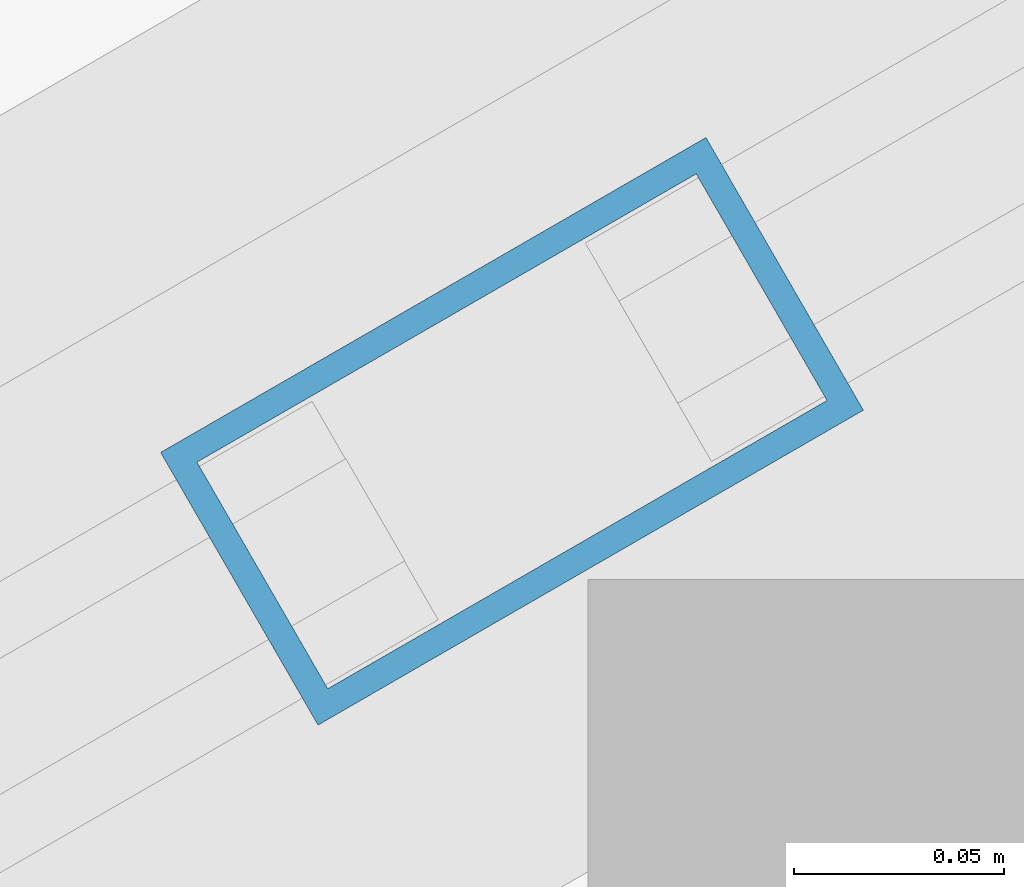
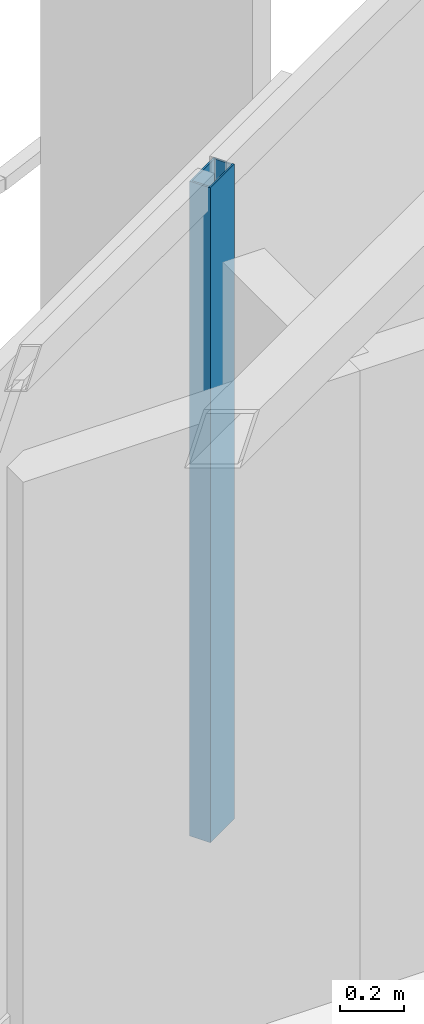
# One storey, part 8 of 22: 1 member, 1 element without a shape of its own.
"""IFC4 building model written with IfcOpenShell, lengths in metres."""

import ifcopenshell
import ifcopenshell.guid

model = None  # the IFC model being written
_history = None  # IfcOwnerHistory: only IFC2X3 demands one
_inside = {}  # id of a spatial element -> (the spatial element, [elements in it])
_under = {}  # id of a project, library or spatial element -> (it, [spatial elements below it])
_declared = {}  # id of a project -> (the project, [libraries it declares])
_typed = {}  # id of a type object -> (the type object, [elements of that type])
_made_of = {}  # id of a material, layer set ... -> (it, [elements and type objects made of it])


def new_model(schema):
    """Start an empty IFC model of exactly this schema.

    Asked for "IFC4X3", IfcOpenShell would pick the latest addendum, in which some entities
    have other attributes; the version numbers below select the first issue.
    IFC2X3 requires an IfcOwnerHistory on every rooted entity: one is made here for all.
    """
    global model, _history
    if schema == "IFC4X3":
        model = ifcopenshell.file(schema_version=(4, 3, 0, 0))
    else:
        model = ifcopenshell.file(schema=schema)
    _inside.clear()
    _under.clear()
    _declared.clear()
    _typed.clear()
    _made_of.clear()
    _history = None
    if model.schema == "IFC2X3":
        org = make("IfcOrganization", Name="unknown")
        user = make(
            "IfcPersonAndOrganization",
            ThePerson=make("IfcPerson", FamilyName="unknown"),
            TheOrganization=org,
        )
        app = make(
            "IfcApplication",
            ApplicationDeveloper=org,
            Version="unknown",
            ApplicationFullName="unknown",
            ApplicationIdentifier="unknown",
        )
        _history = make(
            "IfcOwnerHistory",
            OwningUser=user,
            OwningApplication=app,
            ChangeAction="ADDED",
            CreationDate=0,
        )
    return model


def make(cls, **values):
    """One entity of the class cls with the attributes given. An attribute that is None is left unset."""
    return model.create_entity(
        cls, **{name: value for name, value in values.items() if value is not None}
    )


def rooted(cls, **values):
    """An entity with a GlobalId (a new one), such as an element, a storey or a relation."""
    return make(cls, GlobalId=ifcopenshell.guid.new(), OwnerHistory=_history, **values)


def si_unit(unit_type, name, prefix=None):
    """IfcSIUnit, for example si_unit("LENGTHUNIT", "METRE", prefix="MILLI")."""
    return make("IfcSIUnit", UnitType=unit_type, Prefix=prefix, Name=name)


def assignment(units):
    """IfcUnitAssignment: the units of a project."""
    return None if units is None else make("IfcUnitAssignment", Units=units)


def point(xyz):
    """IfcCartesianPoint."""
    return None if xyz is None else make("IfcCartesianPoint", Coordinates=xyz)


def direction(xyz):
    """IfcDirection."""
    return None if xyz is None else make("IfcDirection", DirectionRatios=xyz)


def frame(location, z_axis=None, x_axis=None):
    """IfcAxis2Placement3D, a coordinate frame: its origin and axes. An axis left out is left unset."""
    return make(
        "IfcAxis2Placement3D",
        Location=point(location),
        Axis=direction(z_axis),
        RefDirection=direction(x_axis),
    )


def frame_2d(location, x_axis=None):
    """IfcAxis2Placement2D, a coordinate frame in the plane: its origin and x axis."""
    return make(
        "IfcAxis2Placement2D", Location=point(location), RefDirection=direction(x_axis)
    )


def origin():
    """The frame at (0, 0, 0) with its axes left unset."""
    return frame((0.0, 0.0, 0.0))


def origin_2d():
    """The frame at (0, 0) in the plane with its x axis left unset."""
    return frame_2d((0.0, 0.0))


def place(relative_to, where):
    """IfcLocalPlacement: puts the frame where relative to a parent placement (None: the world)."""
    return make(
        "IfcLocalPlacement", PlacementRelTo=relative_to, RelativePlacement=where
    )


def context(
    kind, dimensions, precision=None, world=None, true_north=None, identifier=None
):
    """IfcGeometricRepresentationContext, for example the 3D "Model" context."""
    return make(
        "IfcGeometricRepresentationContext",
        ContextIdentifier=identifier,
        ContextType=kind,
        CoordinateSpaceDimension=dimensions,
        Precision=precision,
        WorldCoordinateSystem=world,
        TrueNorth=true_north,
    )


def subcontext(parent, identifier, kind, view, scale=None):
    """IfcGeometricRepresentationSubContext, for example "Body" below "Model"."""
    return make(
        "IfcGeometricRepresentationSubContext",
        ContextIdentifier=identifier,
        ContextType=kind,
        ParentContext=parent,
        TargetScale=scale,
        TargetView=view,
    )


def project(units=None, contexts=None):
    """IfcProject with its units and contexts."""
    return rooted(
        "IfcProject",
        Name="project",
        RepresentationContexts=contexts,
        UnitsInContext=assignment(units),
    )


def spatial(cls, under=None, at=None, **own):
    """A site, building, storey or space (cls), placed at a placement, below another one or the project."""
    s = rooted(cls, ObjectPlacement=at, **own)
    if under is not None:
        _under.setdefault(under.id(), (under, []))[1].append(s)
    return s


def profile(cls, at=None, kind="AREA", **sizes):
    """A parametric profile (cls). Its sizes go by their IFC names, for example OverallWidth=200.0."""
    return make(cls, ProfileType=kind, Position=at, **sizes)


def hollow_rectangle(**sizes):
    """IfcRectangleHollowProfileDef."""
    return profile("IfcRectangleHollowProfileDef", **sizes)


def extrude(swept, where, along, depth):
    """IfcExtrudedAreaSolid: the profile swept, set in the frame where, extruded along a direction by depth."""
    return make(
        "IfcExtrudedAreaSolid",
        SweptArea=swept,
        Position=where,
        ExtrudedDirection=direction(along),
        Depth=depth,
    )


def shape(context_of_items, identifier, shape_type, items):
    """IfcShapeRepresentation: the items that make up one representation, for example the "Body"."""
    return make(
        "IfcShapeRepresentation",
        ContextOfItems=context_of_items,
        RepresentationIdentifier=identifier,
        RepresentationType=shape_type,
        Items=items,
    )


def material(Name=None, Category=None):
    """IfcMaterial."""
    return make("IfcMaterial", Name=Name, Category=Category)


def layer(
    of_material, thickness, ventilated=None, Name=None, Category=None, Priority=None
):
    """IfcMaterialLayer: one layer of a wall or slab, of a material (None: an air gap)."""
    return make(
        "IfcMaterialLayer",
        Material=of_material,
        LayerThickness=thickness,
        IsVentilated=ventilated,
        Name=Name,
        Category=Category,
        Priority=Priority,
    )


def layer_set(layers, Name=None):
    """IfcMaterialLayerSet."""
    return make("IfcMaterialLayerSet", MaterialLayers=layers, LayerSetName=Name)


def material_profile(
    of_material, cross_section, Name=None, Category=None, Priority=None
):
    """IfcMaterialProfile: a cross section and its material."""
    return make(
        "IfcMaterialProfile",
        Name=Name,
        Material=of_material,
        Profile=cross_section,
        Priority=Priority,
        Category=Category,
    )


def profile_set(profiles, Name=None, composite=None):
    """IfcMaterialProfileSet."""
    return make(
        "IfcMaterialProfileSet",
        Name=Name,
        MaterialProfiles=profiles,
        CompositeProfile=composite,
    )


def made_of(thing, what):
    """Note that an element or type object is made of a material, layer set ...; save() writes the relation."""
    if what is not None:
        _made_of.setdefault(what.id(), (what, []))[1].append(thing)
    return thing


def type_object(cls, material=None, **own):
    """A type object (cls), such as IfcWallType, which elements share."""
    return made_of(rooted(cls, **own), material)


def element(
    cls,
    number,
    at=None,
    inside=None,
    cuts=None,
    type_object=None,
    material=None,
    context=None,
    identifier="Body",
    shape_type=None,
    held_by="IfcProductDefinitionShape",
    body=None,
    shapes=None,
    **own,
):
    """One element of the class cls, such as IfcWall. Its Tag is "e" and its number.

    at: its placement. inside: the storey or other place that contains it. cuts: it is an
    opening in that element (IfcRelVoidsElement). A single representation is given by context,
    identifier, shape_type and body (its items); several are given by shapes. held_by: the class
    of the entity that holds the representations. save() writes the other relations.
    """
    e = rooted(cls, Tag="e%d" % number, ObjectPlacement=at, **own)
    if body is not None:
        shapes = [shape(context, identifier, shape_type, body)]
    if shapes is not None:
        e.Representation = make(held_by, Representations=shapes)
    if inside is not None:
        _inside.setdefault(inside.id(), (inside, []))[1].append(e)
    if cuts is not None:
        rooted(
            "IfcRelVoidsElement", RelatingBuildingElement=cuts, RelatedOpeningElement=e
        )
    if type_object is not None:
        _typed.setdefault(type_object.id(), (type_object, []))[1].append(e)
    return made_of(e, material)


def aggregate(whole, parts):
    """IfcRelAggregates: a whole, such as a stair, and the parts it consists of."""
    return rooted("IfcRelAggregates", RelatingObject=whole, RelatedObjects=parts)


def save(model, path):
    """Write the relations noted so far, then the file.

    IfcRelAggregates (storeys below a building ...), IfcRelContainedInSpatialStructure (elements
    in a storey), IfcRelDefinesByType, IfcRelAssociatesMaterial and IfcRelDeclares: one each for
    every whole, place, type object, material and project.
    """
    for whole, parts in _under.values():
        aggregate(whole, parts)
    for where, things in _inside.values():
        rooted(
            "IfcRelContainedInSpatialStructure",
            RelatedElements=things,
            RelatingStructure=where,
        )
    for kind, things in _typed.values():
        rooted("IfcRelDefinesByType", RelatedObjects=things, RelatingType=kind)
    for what, things in _made_of.values():
        rooted("IfcRelAssociatesMaterial", RelatedObjects=things, RelatingMaterial=what)
    for by, libraries in _declared.values():
        rooted("IfcRelDeclares", RelatingContext=by, RelatedDefinitions=libraries)
    model.write(path)


model = new_model("IFC4")

# Units and contexts
model_context = context("Model", 3, precision=1e-05, world=origin(), true_north=direction((0.0, 1.0)))
body_context = subcontext(model_context, "Body", "Model", "MODEL_VIEW")
ifc_project = project(units=[si_unit("LENGTHUNIT", "METRE"), si_unit("AREAUNIT", "SQUARE_METRE"), si_unit("VOLUMEUNIT", "CUBIC_METRE"), si_unit("PLANEANGLEUNIT", "RADIAN"), si_unit("MASSUNIT", "GRAM", prefix="KILO")], contexts=[model_context])

# Site, building, storey
site_placement = place(None, origin())
site = spatial("IfcSite", under=ifc_project, at=site_placement, CompositionType="ELEMENT")
building_placement = place(site_placement, origin())
building = spatial("IfcBuilding", under=site, at=building_placement, Name="Mersakhor Tower and Convention Hall", CompositionType="ELEMENT")
storey_placement = place(building_placement, frame((0.0, 0.0, 192.0)))
storey = spatial("IfcBuildingStorey", under=building, at=storey_placement, Name="L53", CompositionType="ELEMENT", Elevation=192.0)

# Curtain wall, member
ifc_material_1 = material(Name="Dark solar low-E aluminium curtain wall", Category="aluminium")
ifc_layer = layer(ifc_material_1, 0.169921875)
ifc_layer_set = layer_set([ifc_layer], Name="Dark solar low-E aluminium curtain wall")
curtain_wall_type = type_object("IfcCurtainWallType", Name="CW-SYS-02", PredefinedType="USERDEFINED", material=ifc_layer_set)
curtain_wall_placement = place(storey_placement, origin())
curtain_wall = element("IfcCurtainWall", 1, at=curtain_wall_placement, inside=storey, type_object=curtain_wall_type, Name="L53 Dark-Glass Curtain Wall F1-B2", ObjectType="CURTAIN WALL", PredefinedType="USERDEFINED")
ifc_material_2 = material(Name="Anodised aluminium EN AW-6063 T6", Category="aluminium")
ifc_material_profile = material_profile(ifc_material_2, hollow_rectangle(XDim=0.074951171875, YDim=0.14990234375, WallThickness=0.00634765625, at=origin_2d()), Name="RHS 150x75x6.3")
ifc_profile_set = profile_set([ifc_material_profile], Name="Anodised aluminium EN AW-6063 T6")
member_type = type_object("IfcMemberType", Name="CWM-150x75", PredefinedType="MULLION", material=ifc_profile_set)
member_placement = place(storey_placement, frame((21.906982421875, 36.035888671875, 0.199951171875), z_axis=(0.0, 0.0, 1.0), x_axis=(-0.500007824483, 0.86602088627, 0.0)))
member = element("IfcMember", 2, at=member_placement, type_object=member_type, Name="CW-02 mullion 2", PredefinedType="MULLION", context=body_context, shape_type="SweptSolid", body=[
    extrude(hollow_rectangle(XDim=0.074951171875, YDim=0.14990234375, WallThickness=0.00634765625, at=origin_2d()), origin(), (0.0, 0.0, 1.0), 2.489990234375),
])
aggregate(curtain_wall, [member])

save(model, "model.ifc")
